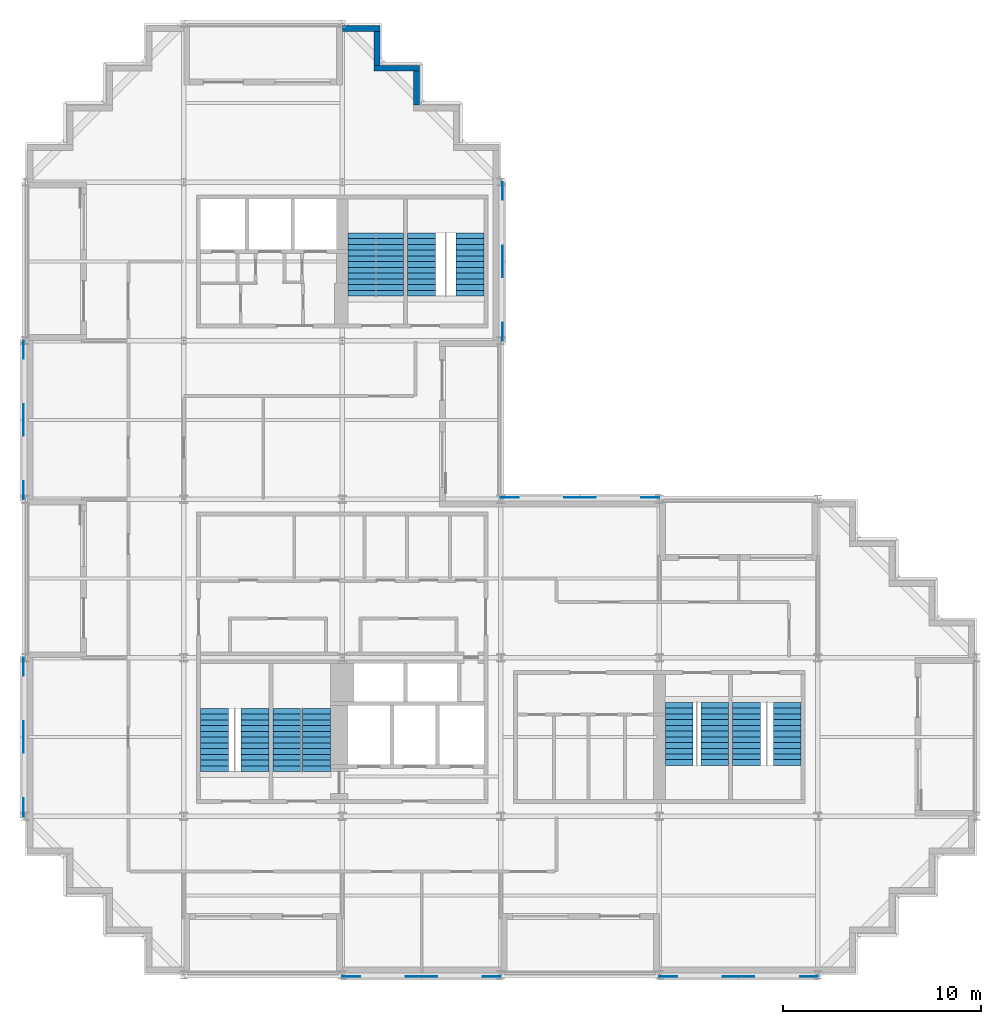
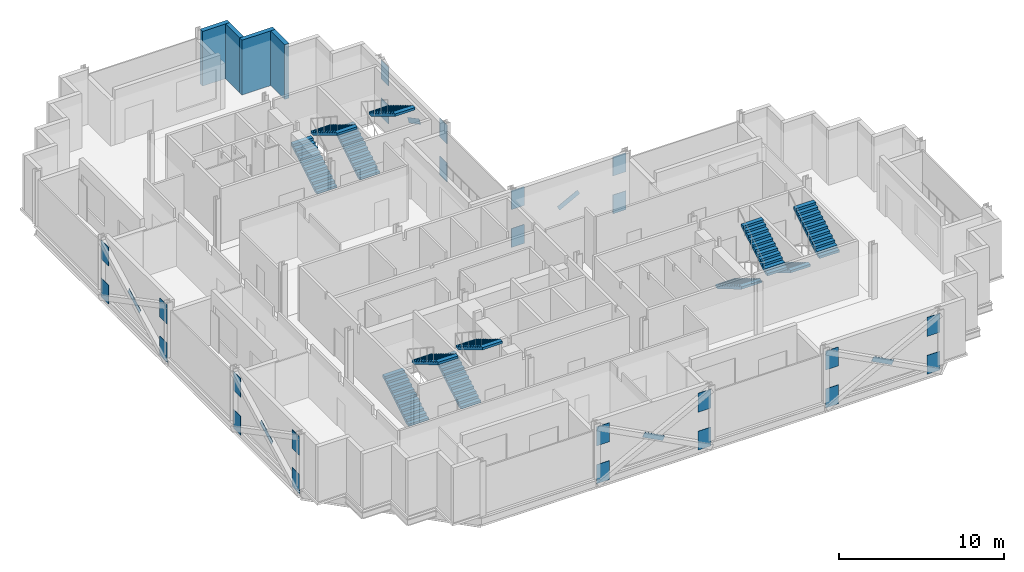
# One storey, part 9 of 10: 30 discrete accessories, 12 stair flights, 4 walls, 6 elements without a shape of their own.
"""IFC4 building model written with IfcOpenShell, lengths in metres."""

from ifc_helpers import new_model, si_unit, direction, frame, frame_2d, origin, origin_2d, place, context, subcontext, project, spatial, polyline, rectangle, outline, extrude, material, layer, layer_set, material_profile, profile_set, type_object, element, aggregate, save


model = new_model("IFC4")

# Units and contexts
model_context = context("Model", 3, precision=1e-05, world=origin(), true_north=direction((0.0, 1.0)))
body_context = subcontext(model_context, "Body", "Model", "MODEL_VIEW")
ifc_project = project(units=[si_unit("LENGTHUNIT", "METRE"), si_unit("AREAUNIT", "SQUARE_METRE"), si_unit("VOLUMEUNIT", "CUBIC_METRE"), si_unit("PLANEANGLEUNIT", "RADIAN"), si_unit("MASSUNIT", "GRAM", prefix="KILO")], contexts=[model_context])

# Site, building, storey
site_placement = place(None, origin())
site = spatial("IfcSite", under=ifc_project, at=site_placement, CompositionType="ELEMENT")
building_placement = place(site_placement, origin())
building = spatial("IfcBuilding", under=site, at=building_placement, Name="Immortelle Media Tower", CompositionType="ELEMENT")
storey_placement = place(building_placement, frame((0.0, 0.0, 162.0)))
storey = spatial("IfcBuildingStorey", under=building, at=storey_placement, Name="L33", CompositionType="ELEMENT", Elevation=162.0)

# Walls
ifc_material_1 = material(Name="Pale aluminium cladding panel", Category="aluminium")
ifc_layer_1 = layer(ifc_material_1, 0.030029296875)
ifc_material_2 = material(Name="Steel ASTM A653 SS Gr 50 stud frame with mineral wool", Category="steel")
ifc_layer_2 = layer(ifc_material_2, 0.257568359375)
ifc_material_3 = material(Name="Moisture-resistant gypsum board", Category="gypsum")
ifc_layer_3 = layer(ifc_material_3, 0.012451171875)
ifc_layer_set = layer_set([ifc_layer_1, ifc_layer_2, ifc_layer_3], Name="Steel ASTM A653 SS Gr 50 stud frame with mineral wool")
wall_type = type_object("IfcWallType", Name="Facade wall 300", PredefinedType="SOLIDWALL", material=ifc_layer_set)
wall_1_placement = place(storey_placement, frame((19.75, 43.89990234375, 0.0), z_axis=(0.0, 0.0, 1.0), x_axis=(0.0, 1.0, 0.0)))
element("IfcWall", 1, at=wall_1_placement, inside=storey, type_object=wall_type, Name="Facade wall L33 E25", PredefinedType="SOLIDWALL", context=body_context, shape_type="SweptSolid", body=[
    extrude(rectangle(XDim=1.7001953125, YDim=0.300048828125, at=frame_2d((0.85009765625, 0.0))), origin(), (0.0, 0.0, 1.0), 4.050048828125),
])
wall_2_placement = place(storey_placement, frame((19.89990234375, 45.75, 0.0), z_axis=(0.0, 0.0, 1.0), x_axis=(-1.0, 0.0, 0.0)))
element("IfcWall", 2, at=wall_2_placement, inside=storey, type_object=wall_type, Name="Facade wall L33 N26", PredefinedType="SOLIDWALL", context=body_context, shape_type="SweptSolid", body=[
    extrude(rectangle(XDim=2.2998046875, YDim=0.300048828125, at=frame_2d((1.14990234375, 0.0))), origin(), (0.0, 0.0, 1.0), 4.050048828125),
])
wall_3_placement = place(storey_placement, frame((17.75, 45.89990234375, 0.0), z_axis=(0.0, 0.0, 1.0), x_axis=(0.0, 1.0, 0.0)))
element("IfcWall", 3, at=wall_3_placement, inside=storey, type_object=wall_type, Name="Facade wall L33 E27", PredefinedType="SOLIDWALL", context=body_context, shape_type="SweptSolid", body=[
    extrude(rectangle(XDim=1.7001953125, YDim=0.300048828125, at=frame_2d((0.85009765625, 0.0))), origin(), (0.0, 0.0, 1.0), 4.050048828125),
])
wall_4_placement = place(storey_placement, frame((17.89990234375, 47.75, 0.0), z_axis=(0.0, 0.0, 1.0), x_axis=(-1.0, 0.0, 0.0)))
element("IfcWall", 4, at=wall_4_placement, inside=storey, type_object=wall_type, Name="Facade wall L33 N28", PredefinedType="SOLIDWALL", context=body_context, shape_type="SweptSolid", body=[
    extrude(rectangle(XDim=1.89990234375, YDim=0.300048828125, at=frame_2d((0.949951171875, 0.0))), origin(), (0.0, 0.0, 1.0), 4.050048828125),
])

# Stair, stair flights
ifc_material_4 = material(Name="Steel ASTM A992 Gr 50", Category="steel")
stair_type = type_object("IfcStairType", Name="Stair with flights", PredefinedType="DOUBLE_RETURN_STAIR", material=ifc_material_4)
stair_1_placement = place(storey_placement, origin())
stair_1 = element("IfcStair", 5, at=stair_1_placement, inside=storey, type_object=stair_type, Name="Exit stair SW1", PredefinedType="DOUBLE_RETURN_STAIR")
stair_flight_type = type_object("IfcStairFlightType", Name="Stair flight 1400", PredefinedType="STRAIGHT", material=ifc_material_4)
stair_flight_1_placement = place(storey_placement, frame((9.550048828125, 10.25, 0.0), z_axis=(0.0, 0.0, 1.0), x_axis=(0.0, 1.0, 0.0)))
stair_flight_1 = element("IfcStairFlight", 6, at=stair_flight_1_placement, type_object=stair_flight_type, Name="ST SW1 flight 1", NumberOfRisers=12, NumberOfTreads=11, PredefinedType="STRAIGHT", RiserHeight=0.175, TreadLength=0.29, context=body_context, shape_type="SweptSolid", body=[
    extrude(outline(polyline([(0.0, 0.0), (0.0, 0.175048828125), (0.2900390625, 0.175048828125), (0.2900390625, 0.35009765625), (0.580078125, 0.35009765625), (0.580078125, 0.52490234375), (0.8701171875, 0.52490234375), (0.8701171875, 0.699951171875), (1.159912109375, 0.699951171875), (1.159912109375, 0.875), (1.449951171875, 0.875), (1.449951171875, 1.050048828125), (1.739990234375, 1.050048828125), (1.739990234375, 1.22509765625), (2.030029296875, 1.22509765625), (2.030029296875, 1.39990234375), (2.320068359375, 1.39990234375), (2.320068359375, 1.574951171875), (2.610107421875, 1.574951171875), (2.610107421875, 1.75), (2.89990234375, 1.75), (2.89990234375, 1.925048828125), (3.18994140625, 1.925048828125), (3.18994140625, 2.10009765625), (3.18994140625, 1.75), (0.2900390625, 0.0), (0.0, 0.0)])), frame((0.0, 0.699951171875, 0.0), z_axis=(0.0, -1.0, 0.0), x_axis=(1.0, 0.0, 0.0)), (0.0, 0.0, 1.0), 1.39990234375),
])
stair_flight_2_placement = place(storey_placement, frame((11.60009765625, 13.43994140625, 2.10009765625), z_axis=(0.0, 0.0, 1.0), x_axis=(0.0, -1.0, 0.0)))
stair_flight_2 = element("IfcStairFlight", 7, at=stair_flight_2_placement, type_object=stair_flight_type, Name="ST SW1 flight 2", NumberOfRisers=12, NumberOfTreads=11, PredefinedType="STRAIGHT", RiserHeight=0.175, TreadLength=0.29, context=body_context, shape_type="SweptSolid", body=[
    extrude(outline(polyline([(0.0, 0.0), (0.0, 0.175048828125), (0.2900390625, 0.175048828125), (0.2900390625, 0.35009765625), (0.580078125, 0.35009765625), (0.580078125, 0.52490234375), (0.8701171875, 0.52490234375), (0.8701171875, 0.699951171875), (1.159912109375, 0.699951171875), (1.159912109375, 0.875), (1.449951171875, 0.875), (1.449951171875, 1.050048828125), (1.739990234375, 1.050048828125), (1.739990234375, 1.22509765625), (2.030029296875, 1.22509765625), (2.030029296875, 1.39990234375), (2.320068359375, 1.39990234375), (2.320068359375, 1.574951171875), (2.610107421875, 1.574951171875), (2.610107421875, 1.75), (2.89990234375, 1.75), (2.89990234375, 1.925048828125), (3.18994140625, 1.925048828125), (3.18994140625, 2.10009765625), (3.18994140625, 1.75), (0.2900390625, 0.0), (0.0, 0.0)])), frame((0.0, 0.699951171875, 0.0), z_axis=(0.0, -1.0, 0.0), x_axis=(1.0, 0.0, 0.0)), (0.0, 0.0, 1.0), 1.39990234375),
])
aggregate(stair_1, [stair_flight_1, stair_flight_2])

stair_2_placement = place(storey_placement, origin())
stair_2 = element("IfcStair", 8, at=stair_2_placement, inside=storey, type_object=stair_type, Name="Exit stair SW2", PredefinedType="DOUBLE_RETURN_STAIR")
stair_flight_3_placement = place(storey_placement, frame((13.199951171875, 10.25, 0.0), z_axis=(0.0, 0.0, 1.0), x_axis=(0.0, 1.0, 0.0)))
stair_flight_3 = element("IfcStairFlight", 9, at=stair_flight_3_placement, type_object=stair_flight_type, Name="ST SW2 flight 1", NumberOfRisers=12, NumberOfTreads=11, PredefinedType="STRAIGHT", RiserHeight=0.175, TreadLength=0.29, context=body_context, shape_type="SweptSolid", body=[
    extrude(outline(polyline([(0.0, 0.0), (0.0, 0.175048828125), (0.2900390625, 0.175048828125), (0.2900390625, 0.35009765625), (0.580078125, 0.35009765625), (0.580078125, 0.52490234375), (0.8701171875, 0.52490234375), (0.8701171875, 0.699951171875), (1.159912109375, 0.699951171875), (1.159912109375, 0.875), (1.449951171875, 0.875), (1.449951171875, 1.050048828125), (1.739990234375, 1.050048828125), (1.739990234375, 1.22509765625), (2.030029296875, 1.22509765625), (2.030029296875, 1.39990234375), (2.320068359375, 1.39990234375), (2.320068359375, 1.574951171875), (2.610107421875, 1.574951171875), (2.610107421875, 1.75), (2.89990234375, 1.75), (2.89990234375, 1.925048828125), (3.18994140625, 1.925048828125), (3.18994140625, 2.10009765625), (3.18994140625, 1.75), (0.2900390625, 0.0), (0.0, 0.0)])), frame((0.0, 0.699951171875, 0.0), z_axis=(0.0, -1.0, 0.0), x_axis=(1.0, 0.0, 0.0)), (0.0, 0.0, 1.0), 1.39990234375),
])
stair_flight_4_placement = place(storey_placement, frame((14.699951171875, 13.43994140625, 2.10009765625), z_axis=(0.0, 0.0, 1.0), x_axis=(0.0, -1.0, 0.0)))
stair_flight_4 = element("IfcStairFlight", 10, at=stair_flight_4_placement, type_object=stair_flight_type, Name="ST SW2 flight 2", NumberOfRisers=12, NumberOfTreads=11, PredefinedType="STRAIGHT", RiserHeight=0.175, TreadLength=0.29, context=body_context, shape_type="SweptSolid", body=[
    extrude(outline(polyline([(0.0, 0.0), (0.0, 0.175048828125), (0.2900390625, 0.175048828125), (0.2900390625, 0.35009765625), (0.580078125, 0.35009765625), (0.580078125, 0.52490234375), (0.8701171875, 0.52490234375), (0.8701171875, 0.699951171875), (1.159912109375, 0.699951171875), (1.159912109375, 0.875), (1.449951171875, 0.875), (1.449951171875, 1.050048828125), (1.739990234375, 1.050048828125), (1.739990234375, 1.22509765625), (2.030029296875, 1.22509765625), (2.030029296875, 1.39990234375), (2.320068359375, 1.39990234375), (2.320068359375, 1.574951171875), (2.610107421875, 1.574951171875), (2.610107421875, 1.75), (2.89990234375, 1.75), (2.89990234375, 1.925048828125), (3.18994140625, 1.925048828125), (3.18994140625, 2.10009765625), (3.18994140625, 1.75), (0.2900390625, 0.0), (0.0, 0.0)])), frame((0.0, 0.699951171875, 0.0), z_axis=(0.0, -1.0, 0.0), x_axis=(1.0, 0.0, 0.0)), (0.0, 0.0, 1.0), 1.39990234375),
])
aggregate(stair_2, [stair_flight_3, stair_flight_4])

stair_3_placement = place(storey_placement, origin())
stair_3 = element("IfcStair", 11, at=stair_3_placement, inside=storey, type_object=stair_type, Name="Exit stair SE1", PredefinedType="DOUBLE_RETURN_STAIR")
stair_flight_5_placement = place(storey_placement, frame((33.0, 13.75, 0.0), z_axis=(0.0, 0.0, 1.0), x_axis=(0.0, -1.0, 0.0)))
stair_flight_5 = element("IfcStairFlight", 12, at=stair_flight_5_placement, type_object=stair_flight_type, Name="ST SE1 flight 1", NumberOfRisers=12, NumberOfTreads=11, PredefinedType="STRAIGHT", RiserHeight=0.175, TreadLength=0.29, context=body_context, shape_type="SweptSolid", body=[
    extrude(outline(polyline([(0.0, 0.0), (0.0, 0.175048828125), (0.2900390625, 0.175048828125), (0.2900390625, 0.35009765625), (0.580078125, 0.35009765625), (0.580078125, 0.52490234375), (0.8701171875, 0.52490234375), (0.8701171875, 0.699951171875), (1.159912109375, 0.699951171875), (1.159912109375, 0.875), (1.449951171875, 0.875), (1.449951171875, 1.050048828125), (1.739990234375, 1.050048828125), (1.739990234375, 1.22509765625), (2.030029296875, 1.22509765625), (2.030029296875, 1.39990234375), (2.320068359375, 1.39990234375), (2.320068359375, 1.574951171875), (2.610107421875, 1.574951171875), (2.610107421875, 1.75), (2.89990234375, 1.75), (2.89990234375, 1.925048828125), (3.18994140625, 1.925048828125), (3.18994140625, 2.10009765625), (3.18994140625, 1.75), (0.2900390625, 0.0), (0.0, 0.0)])), frame((0.0, 0.699951171875, 0.0), z_axis=(0.0, -1.0, 0.0), x_axis=(1.0, 0.0, 0.0)), (0.0, 0.0, 1.0), 1.39990234375),
])
stair_flight_6_placement = place(storey_placement, frame((34.800048828125, 10.56005859375, 2.10009765625), z_axis=(0.0, 0.0, 1.0), x_axis=(0.0, 1.0, 0.0)))
stair_flight_6 = element("IfcStairFlight", 13, at=stair_flight_6_placement, type_object=stair_flight_type, Name="ST SE1 flight 2", NumberOfRisers=12, NumberOfTreads=11, PredefinedType="STRAIGHT", RiserHeight=0.175, TreadLength=0.29, context=body_context, shape_type="SweptSolid", body=[
    extrude(outline(polyline([(0.0, 0.0), (0.0, 0.175048828125), (0.2900390625, 0.175048828125), (0.2900390625, 0.35009765625), (0.580078125, 0.35009765625), (0.580078125, 0.52490234375), (0.8701171875, 0.52490234375), (0.8701171875, 0.699951171875), (1.159912109375, 0.699951171875), (1.159912109375, 0.875), (1.449951171875, 0.875), (1.449951171875, 1.050048828125), (1.739990234375, 1.050048828125), (1.739990234375, 1.22509765625), (2.030029296875, 1.22509765625), (2.030029296875, 1.39990234375), (2.320068359375, 1.39990234375), (2.320068359375, 1.574951171875), (2.610107421875, 1.574951171875), (2.610107421875, 1.75), (2.89990234375, 1.75), (2.89990234375, 1.925048828125), (3.18994140625, 1.925048828125), (3.18994140625, 2.10009765625), (3.18994140625, 1.75), (0.2900390625, 0.0), (0.0, 0.0)])), frame((0.0, 0.699951171875, 0.0), z_axis=(0.0, -1.0, 0.0), x_axis=(1.0, 0.0, 0.0)), (0.0, 0.0, 1.0), 1.39990234375),
])
aggregate(stair_3, [stair_flight_5, stair_flight_6])

stair_4_placement = place(storey_placement, origin())
stair_4 = element("IfcStair", 14, at=stair_4_placement, inside=storey, type_object=stair_type, Name="Exit stair SE2", PredefinedType="DOUBLE_RETURN_STAIR")
stair_flight_7_placement = place(storey_placement, frame((36.39990234375, 13.75, 0.0), z_axis=(0.0, 0.0, 1.0), x_axis=(0.0, -1.0, 0.0)))
stair_flight_7 = element("IfcStairFlight", 15, at=stair_flight_7_placement, type_object=stair_flight_type, Name="ST SE2 flight 1", NumberOfRisers=12, NumberOfTreads=11, PredefinedType="STRAIGHT", RiserHeight=0.175, TreadLength=0.29, context=body_context, shape_type="SweptSolid", body=[
    extrude(outline(polyline([(0.0, 0.0), (0.0, 0.175048828125), (0.2900390625, 0.175048828125), (0.2900390625, 0.35009765625), (0.580078125, 0.35009765625), (0.580078125, 0.52490234375), (0.8701171875, 0.52490234375), (0.8701171875, 0.699951171875), (1.159912109375, 0.699951171875), (1.159912109375, 0.875), (1.449951171875, 0.875), (1.449951171875, 1.050048828125), (1.739990234375, 1.050048828125), (1.739990234375, 1.22509765625), (2.030029296875, 1.22509765625), (2.030029296875, 1.39990234375), (2.320068359375, 1.39990234375), (2.320068359375, 1.574951171875), (2.610107421875, 1.574951171875), (2.610107421875, 1.75), (2.89990234375, 1.75), (2.89990234375, 1.925048828125), (3.18994140625, 1.925048828125), (3.18994140625, 2.10009765625), (3.18994140625, 1.75), (0.2900390625, 0.0), (0.0, 0.0)])), frame((0.0, 0.699951171875, 0.0), z_axis=(0.0, -1.0, 0.0), x_axis=(1.0, 0.0, 0.0)), (0.0, 0.0, 1.0), 1.39990234375),
])
stair_flight_8_placement = place(storey_placement, frame((38.449951171875, 10.56005859375, 2.10009765625), z_axis=(0.0, 0.0, 1.0), x_axis=(0.0, 1.0, 0.0)))
stair_flight_8 = element("IfcStairFlight", 16, at=stair_flight_8_placement, type_object=stair_flight_type, Name="ST SE2 flight 2", NumberOfRisers=12, NumberOfTreads=11, PredefinedType="STRAIGHT", RiserHeight=0.175, TreadLength=0.29, context=body_context, shape_type="SweptSolid", body=[
    extrude(outline(polyline([(0.0, 0.0), (0.0, 0.175048828125), (0.2900390625, 0.175048828125), (0.2900390625, 0.35009765625), (0.580078125, 0.35009765625), (0.580078125, 0.52490234375), (0.8701171875, 0.52490234375), (0.8701171875, 0.699951171875), (1.159912109375, 0.699951171875), (1.159912109375, 0.875), (1.449951171875, 0.875), (1.449951171875, 1.050048828125), (1.739990234375, 1.050048828125), (1.739990234375, 1.22509765625), (2.030029296875, 1.22509765625), (2.030029296875, 1.39990234375), (2.320068359375, 1.39990234375), (2.320068359375, 1.574951171875), (2.610107421875, 1.574951171875), (2.610107421875, 1.75), (2.89990234375, 1.75), (2.89990234375, 1.925048828125), (3.18994140625, 1.925048828125), (3.18994140625, 2.10009765625), (3.18994140625, 1.75), (0.2900390625, 0.0), (0.0, 0.0)])), frame((0.0, 0.699951171875, 0.0), z_axis=(0.0, -1.0, 0.0), x_axis=(1.0, 0.0, 0.0)), (0.0, 0.0, 1.0), 1.39990234375),
])
aggregate(stair_4, [stair_flight_7, stair_flight_8])

stair_5_placement = place(storey_placement, origin())
stair_5 = element("IfcStair", 17, at=stair_5_placement, inside=storey, type_object=stair_type, Name="Exit stair NW1", PredefinedType="DOUBLE_RETURN_STAIR")
stair_flight_9_placement = place(storey_placement, frame((17.0, 34.25, 0.0), z_axis=(0.0, 0.0, 1.0), x_axis=(0.0, 1.0, 0.0)))
stair_flight_9 = element("IfcStairFlight", 18, at=stair_flight_9_placement, type_object=stair_flight_type, Name="ST NW1 flight 1", NumberOfRisers=12, NumberOfTreads=11, PredefinedType="STRAIGHT", RiserHeight=0.175, TreadLength=0.29, context=body_context, shape_type="SweptSolid", body=[
    extrude(outline(polyline([(0.0, 0.0), (0.0, 0.175048828125), (0.2900390625, 0.175048828125), (0.2900390625, 0.35009765625), (0.580078125, 0.35009765625), (0.580078125, 0.52490234375), (0.8701171875, 0.52490234375), (0.8701171875, 0.699951171875), (1.159912109375, 0.699951171875), (1.159912109375, 0.875), (1.449951171875, 0.875), (1.449951171875, 1.050048828125), (1.739990234375, 1.050048828125), (1.739990234375, 1.22509765625), (2.030029296875, 1.22509765625), (2.030029296875, 1.39990234375), (2.320068359375, 1.39990234375), (2.320068359375, 1.574951171875), (2.610107421875, 1.574951171875), (2.610107421875, 1.75), (2.89990234375, 1.75), (2.89990234375, 1.925048828125), (3.18994140625, 1.925048828125), (3.18994140625, 2.10009765625), (3.18994140625, 1.75), (0.2900390625, 0.0), (0.0, 0.0)])), frame((0.0, 0.699951171875, 0.0), z_axis=(0.0, -1.0, 0.0), x_axis=(1.0, 0.0, 0.0)), (0.0, 0.0, 1.0), 1.39990234375),
])
stair_flight_10_placement = place(storey_placement, frame((18.39990234375, 37.43994140625, 2.10009765625), z_axis=(0.0, 0.0, 1.0), x_axis=(0.0, -1.0, 0.0)))
stair_flight_10 = element("IfcStairFlight", 19, at=stair_flight_10_placement, type_object=stair_flight_type, Name="ST NW1 flight 2", NumberOfRisers=12, NumberOfTreads=11, PredefinedType="STRAIGHT", RiserHeight=0.175, TreadLength=0.29, context=body_context, shape_type="SweptSolid", body=[
    extrude(outline(polyline([(0.0, 0.0), (0.0, 0.175048828125), (0.2900390625, 0.175048828125), (0.2900390625, 0.35009765625), (0.580078125, 0.35009765625), (0.580078125, 0.52490234375), (0.8701171875, 0.52490234375), (0.8701171875, 0.699951171875), (1.159912109375, 0.699951171875), (1.159912109375, 0.875), (1.449951171875, 0.875), (1.449951171875, 1.050048828125), (1.739990234375, 1.050048828125), (1.739990234375, 1.22509765625), (2.030029296875, 1.22509765625), (2.030029296875, 1.39990234375), (2.320068359375, 1.39990234375), (2.320068359375, 1.574951171875), (2.610107421875, 1.574951171875), (2.610107421875, 1.75), (2.89990234375, 1.75), (2.89990234375, 1.925048828125), (3.18994140625, 1.925048828125), (3.18994140625, 2.10009765625), (3.18994140625, 1.75), (0.2900390625, 0.0), (0.0, 0.0)])), frame((0.0, 0.699951171875, 0.0), z_axis=(0.0, -1.0, 0.0), x_axis=(1.0, 0.0, 0.0)), (0.0, 0.0, 1.0), 1.39990234375),
])
aggregate(stair_5, [stair_flight_9, stair_flight_10])

stair_6_placement = place(storey_placement, origin())
stair_6 = element("IfcStair", 20, at=stair_6_placement, inside=storey, type_object=stair_type, Name="Exit stair NW2", PredefinedType="DOUBLE_RETURN_STAIR")
stair_flight_11_placement = place(storey_placement, frame((20.0, 34.25, 0.0), z_axis=(0.0, 0.0, 1.0), x_axis=(0.0, 1.0, 0.0)))
stair_flight_11 = element("IfcStairFlight", 21, at=stair_flight_11_placement, type_object=stair_flight_type, Name="ST NW2 flight 1", NumberOfRisers=12, NumberOfTreads=11, PredefinedType="STRAIGHT", RiserHeight=0.175, TreadLength=0.29, context=body_context, shape_type="SweptSolid", body=[
    extrude(outline(polyline([(0.0, 0.0), (0.0, 0.175048828125), (0.2900390625, 0.175048828125), (0.2900390625, 0.35009765625), (0.580078125, 0.35009765625), (0.580078125, 0.52490234375), (0.8701171875, 0.52490234375), (0.8701171875, 0.699951171875), (1.159912109375, 0.699951171875), (1.159912109375, 0.875), (1.449951171875, 0.875), (1.449951171875, 1.050048828125), (1.739990234375, 1.050048828125), (1.739990234375, 1.22509765625), (2.030029296875, 1.22509765625), (2.030029296875, 1.39990234375), (2.320068359375, 1.39990234375), (2.320068359375, 1.574951171875), (2.610107421875, 1.574951171875), (2.610107421875, 1.75), (2.89990234375, 1.75), (2.89990234375, 1.925048828125), (3.18994140625, 1.925048828125), (3.18994140625, 2.10009765625), (3.18994140625, 1.75), (0.2900390625, 0.0), (0.0, 0.0)])), frame((0.0, 0.699951171875, 0.0), z_axis=(0.0, -1.0, 0.0), x_axis=(1.0, 0.0, 0.0)), (0.0, 0.0, 1.0), 1.39990234375),
])
stair_flight_12_placement = place(storey_placement, frame((22.449951171875, 37.43994140625, 2.10009765625), z_axis=(0.0, 0.0, 1.0), x_axis=(0.0, -1.0, 0.0)))
stair_flight_12 = element("IfcStairFlight", 22, at=stair_flight_12_placement, type_object=stair_flight_type, Name="ST NW2 flight 2", NumberOfRisers=12, NumberOfTreads=11, PredefinedType="STRAIGHT", RiserHeight=0.175, TreadLength=0.29, context=body_context, shape_type="SweptSolid", body=[
    extrude(outline(polyline([(0.0, 0.0), (0.0, 0.175048828125), (0.2900390625, 0.175048828125), (0.2900390625, 0.35009765625), (0.580078125, 0.35009765625), (0.580078125, 0.52490234375), (0.8701171875, 0.52490234375), (0.8701171875, 0.699951171875), (1.159912109375, 0.699951171875), (1.159912109375, 0.875), (1.449951171875, 0.875), (1.449951171875, 1.050048828125), (1.739990234375, 1.050048828125), (1.739990234375, 1.22509765625), (2.030029296875, 1.22509765625), (2.030029296875, 1.39990234375), (2.320068359375, 1.39990234375), (2.320068359375, 1.574951171875), (2.610107421875, 1.574951171875), (2.610107421875, 1.75), (2.89990234375, 1.75), (2.89990234375, 1.925048828125), (3.18994140625, 1.925048828125), (3.18994140625, 2.10009765625), (3.18994140625, 1.75), (0.2900390625, 0.0), (0.0, 0.0)])), frame((0.0, 0.699951171875, 0.0), z_axis=(0.0, -1.0, 0.0), x_axis=(1.0, 0.0, 0.0)), (0.0, 0.0, 1.0), 1.39990234375),
])
aggregate(stair_6, [stair_flight_11, stair_flight_12])

# Discrete accessories
ifc_material_5 = material(Name="Steel ASTM A572 Gr 50", Category="steel")
ifc_material_profile_1 = material_profile(ifc_material_5, rectangle(XDim=0.02392578125, YDim=0.35595703125, at=origin_2d()), Name="PL 24 x 356")
ifc_profile_set_1 = profile_set([ifc_material_profile_1], Name="Steel ASTM A572 Gr 50")
discrete_accessory_type_1 = type_object("IfcDiscreteAccessoryType", Name="Crossing plate XP-BR5 1600 x 356 x 24", PredefinedType="USERDEFINED", material=ifc_profile_set_1)
for number, where, z_axis, x_axis, name in (
    (23, (28.708251953125, 24.087890625, 2.015869140625), (-0.885401043099, 0.0, -0.464827917491), (0.0, -1.0, 0.0), "Crossing plate XP-BR5 of Brace D/4-5 A and Brace D/4-5 B"),
    (24, (24.087890625, 35.291748046875, 2.015869140625), (0.0, 0.885401043099, -0.464827917491), (-1.0, 0.0, 0.0), "Crossing plate XP-BR5 of Brace 4/E-F A and Brace 4/E-F B"),
    (25, (-0.087890625, 28.708251953125, 2.015869140625), (0.0, -0.885401043099, -0.464827917491), (1.0, 0.0, 0.0), "Crossing plate XP-BR5 of Brace 1/D-E A and Brace 1/D-E B"),
    (26, (-0.087890625, 12.708251953125, 2.015869140625), (0.0, -0.885401043099, -0.464827917491), (1.0, 0.0, 0.0), "Crossing plate XP-BR5 of Brace 1/B-C A and Brace 1/B-C B"),
    (27, (19.291748046875, -0.087890625, 2.015869140625), (0.885401043099, 0.0, -0.464827917491), (0.0, 1.0, 0.0), "Crossing plate XP-BR5 of Brace A/3-4 A and Brace A/3-4 B"),
    (28, (35.291748046875, -0.087890625, 2.015869140625), (0.885401043099, 0.0, -0.464827917491), (0.0, 1.0, 0.0), "Crossing plate XP-BR5 of Brace A/5-6 A and Brace A/5-6 B"),
):
    element("IfcDiscreteAccessory", number, at=place(storey_placement, frame(where, z_axis=z_axis, x_axis=x_axis)), inside=storey, type_object=discrete_accessory_type_1, Name=name, ObjectType="CROSSING PLATE", PredefinedType="USERDEFINED", context=body_context, shape_type="SweptSolid", body=[
        extrude(rectangle(XDim=0.02392578125, YDim=0.35595703125, at=origin_2d()), origin(), (0.0, 0.0, 1.0), 1.599853515625),
    ])
ifc_material_profile_2 = material_profile(ifc_material_5, rectangle(XDim=0.031982421875, YDim=1.39990234375, at=origin_2d()), Name="PL 32 x 1400")
ifc_profile_set_2 = profile_set([ifc_material_profile_2], Name="Steel ASTM A572 Gr 50")
discrete_accessory_type_2 = type_object("IfcDiscreteAccessoryType", Name="Gusset plate GP1 900 x 1400 x 32", PredefinedType="USERDEFINED", material=ifc_profile_set_2)
for number, where, z_axis, x_axis, name in (
    (29, (16.0, -0.087890625, 0.243896484375), (1.0, 0.0, 0.0), (0.0, 1.0, 0.0), "Gusset plate GP1, lower end of Brace A/3-4 A"),
    (30, (24.0, -0.087890625, 3.0439453125), (-1.0, 0.0, 0.0), (0.0, -1.0, 0.0), "Gusset plate GP1, upper end of Brace A/3-4 A"),
    (31, (24.0, -0.087890625, 0.243896484375), (-1.0, 0.0, 0.0), (0.0, -1.0, 0.0), "Gusset plate GP1, lower end of Brace A/3-4 B"),
    (32, (16.0, -0.087890625, 3.0439453125), (1.0, 0.0, 0.0), (0.0, 1.0, 0.0), "Gusset plate GP1, upper end of Brace A/3-4 B"),
    (33, (32.0, -0.087890625, 0.243896484375), (1.0, 0.0, 0.0), (0.0, 1.0, 0.0), "Gusset plate GP1, lower end of Brace A/5-6 A"),
    (34, (40.0, -0.087890625, 3.0439453125), (-1.0, 0.0, 0.0), (0.0, -1.0, 0.0), "Gusset plate GP1, upper end of Brace A/5-6 A"),
    (35, (40.0, -0.087890625, 0.243896484375), (-1.0, 0.0, 0.0), (0.0, -1.0, 0.0), "Gusset plate GP1, lower end of Brace A/5-6 B"),
    (36, (32.0, -0.087890625, 3.0439453125), (1.0, 0.0, 0.0), (0.0, 1.0, 0.0), "Gusset plate GP1, upper end of Brace A/5-6 B"),
    (37, (32.0, 24.087890625, 0.243896484375), (-1.0, 0.0, 0.0), (0.0, -1.0, 0.0), "Gusset plate GP1, lower end of Brace D/4-5 A"),
    (38, (24.0, 24.087890625, 3.0439453125), (1.0, 0.0, 0.0), (0.0, 1.0, 0.0), "Gusset plate GP1, upper end of Brace D/4-5 A"),
    (39, (24.0, 24.087890625, 0.243896484375), (1.0, 0.0, 0.0), (0.0, 1.0, 0.0), "Gusset plate GP1, lower end of Brace D/4-5 B"),
    (40, (32.0, 24.087890625, 3.0439453125), (-1.0, 0.0, 0.0), (0.0, -1.0, 0.0), "Gusset plate GP1, upper end of Brace D/4-5 B"),
    (41, (24.087890625, 32.0, 0.243896484375), (0.0, 1.0, 0.0), (-1.0, 0.0, 0.0), "Gusset plate GP1, lower end of Brace 4/E-F A"),
    (42, (24.087890625, 40.0, 3.0439453125), (0.0, -1.0, 0.0), (1.0, 0.0, 0.0), "Gusset plate GP1, upper end of Brace 4/E-F A"),
    (43, (24.087890625, 40.0, 0.243896484375), (0.0, -1.0, 0.0), (1.0, 0.0, 0.0), "Gusset plate GP1, lower end of Brace 4/E-F B"),
    (44, (24.087890625, 32.0, 3.0439453125), (0.0, 1.0, 0.0), (-1.0, 0.0, 0.0), "Gusset plate GP1, upper end of Brace 4/E-F B"),
    (45, (-0.087890625, 32.0, 0.243896484375), (0.0, -1.0, 0.0), (1.0, 0.0, 0.0), "Gusset plate GP1, lower end of Brace 1/D-E A"),
    (46, (-0.087890625, 24.0, 3.0439453125), (0.0, 1.0, 0.0), (-1.0, 0.0, 0.0), "Gusset plate GP1, upper end of Brace 1/D-E A"),
    (47, (-0.087890625, 24.0, 0.243896484375), (0.0, 1.0, 0.0), (-1.0, 0.0, 0.0), "Gusset plate GP1, lower end of Brace 1/D-E B"),
    (48, (-0.087890625, 32.0, 3.0439453125), (0.0, -1.0, 0.0), (1.0, 0.0, 0.0), "Gusset plate GP1, upper end of Brace 1/D-E B"),
    (49, (-0.087890625, 16.0, 0.243896484375), (0.0, -1.0, 0.0), (1.0, 0.0, 0.0), "Gusset plate GP1, lower end of Brace 1/B-C A"),
    (50, (-0.087890625, 8.0, 3.0439453125), (0.0, 1.0, 0.0), (-1.0, 0.0, 0.0), "Gusset plate GP1, upper end of Brace 1/B-C A"),
    (51, (-0.087890625, 8.0, 0.243896484375), (0.0, 1.0, 0.0), (-1.0, 0.0, 0.0), "Gusset plate GP1, lower end of Brace 1/B-C B"),
    (52, (-0.087890625, 16.0, 3.0439453125), (0.0, -1.0, 0.0), (1.0, 0.0, 0.0), "Gusset plate GP1, upper end of Brace 1/B-C B"),
):
    element("IfcDiscreteAccessory", number, at=place(storey_placement, frame(where, z_axis=z_axis, x_axis=x_axis)), inside=storey, type_object=discrete_accessory_type_2, Name=name, ObjectType="GUSSET PLATE", PredefinedType="USERDEFINED", context=body_context, shape_type="SweptSolid", body=[
        extrude(rectangle(XDim=0.031982421875, YDim=1.39990234375, at=origin_2d()), origin(), (0.0, 0.0, 1.0), 0.89990234375),
    ])

save(model, "model.ifc")
